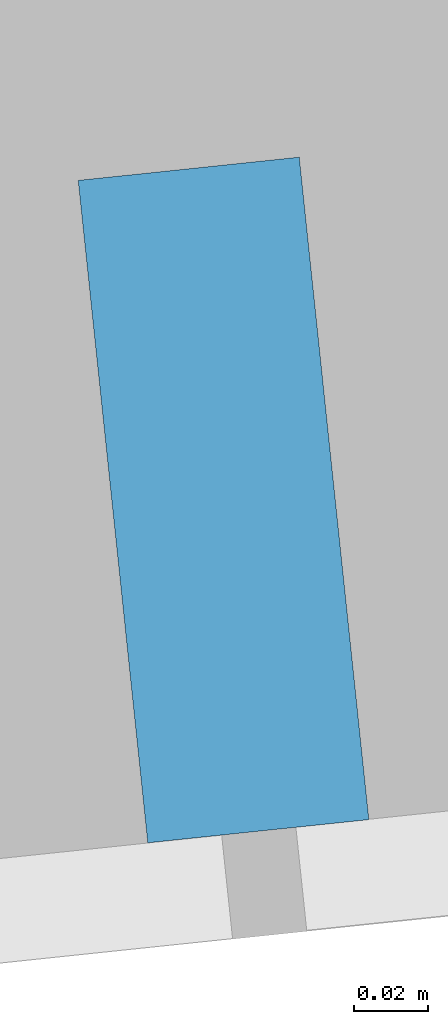
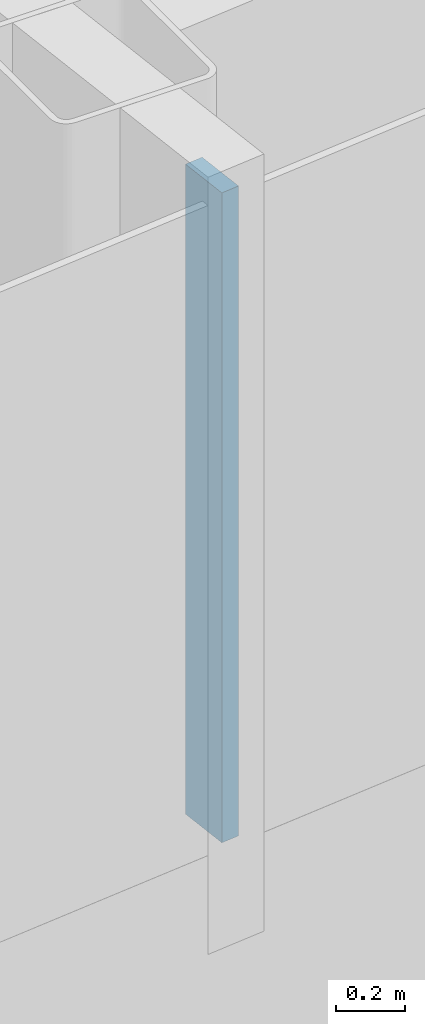
# One storey, part 7 of 27: 1 member, 1 element without a shape of its own.
"""IFC4 building model written with IfcOpenShell, lengths in metres."""

from ifc_helpers import new_model, si_unit, direction, frame, origin, origin_2d, place, context, subcontext, project, spatial, rectangle, extrude, material, layer, layer_set, material_profile, profile_set, type_object, element, aggregate, save


model = new_model("IFC4")

# Units and contexts
model_context = context("Model", 3, precision=1e-05, world=origin(), true_north=direction((0.0, 1.0)))
body_context = subcontext(model_context, "Body", "Model", "MODEL_VIEW")
ifc_project = project(units=[si_unit("LENGTHUNIT", "METRE"), si_unit("AREAUNIT", "SQUARE_METRE"), si_unit("VOLUMEUNIT", "CUBIC_METRE"), si_unit("PLANEANGLEUNIT", "RADIAN"), si_unit("MASSUNIT", "GRAM", prefix="KILO")], contexts=[model_context])

# Site, building, storey
site_placement = place(None, origin())
site = spatial("IfcSite", under=ifc_project, at=site_placement, CompositionType="ELEMENT")
building_placement = place(site_placement, origin())
building = spatial("IfcBuilding", under=site, at=building_placement, Name="Hakoniwa Tower and Hamabe Station Hall", CompositionType="ELEMENT")
storey_placement = place(building_placement, frame((0.0, 0.0, 239.0)))
storey = spatial("IfcBuildingStorey", under=building, at=storey_placement, Name="L67", CompositionType="ELEMENT", Elevation=239.0)

# Curtain wall, member
ifc_material_1 = material(Name="Dark low-e laminated glass", Category="glass")
ifc_layer = layer(ifc_material_1, 0.199951171875)
ifc_layer_set = layer_set([ifc_layer], Name="CW-1 UNITISED GUEST")
curtain_wall_type = type_object("IfcCurtainWallType", Name="CW-1 UNITISED GUEST", PredefinedType="NOTDEFINED", material=ifc_layer_set)
curtain_wall_placement = place(storey_placement, origin())
curtain_wall = element("IfcCurtainWall", 1, at=curtain_wall_placement, inside=storey, type_object=curtain_wall_type, Name="CW-1 curtain wall", PredefinedType="NOTDEFINED")
ifc_material_2 = material(Name="Aluminium 6063-T5 black anodised", Category="aluminium")
ifc_material_profile = material_profile(ifc_material_2, rectangle(XDim=0.06005859375, YDim=0.179931640625, at=origin_2d()), Name="CW-1 MULLION 60X180")
ifc_profile_set = profile_set([ifc_material_profile], Name="Aluminium 6063-T5 black anodised")
member_type = type_object("IfcMemberType", Name="CW-1 MULLION 60X180", PredefinedType="MULLION", material=ifc_profile_set)
member_placement = place(storey_placement, frame((18.50390625, -12.831787109375, 0.35009765625), z_axis=(0.0, 0.0, 1.0), x_axis=(0.994521895272, 0.104528464188, 0.0)))
member = element("IfcMember", 2, at=member_placement, type_object=member_type, Name="CW-1 mullion", PredefinedType="MULLION", context=body_context, shape_type="SweptSolid", body=[
    extrude(rectangle(XDim=0.06005859375, YDim=0.179931640625, at=origin_2d()), origin(), (0.0, 0.0, 1.0), 2.2998046875),
])
aggregate(curtain_wall, [member])

save(model, "model.ifc")
